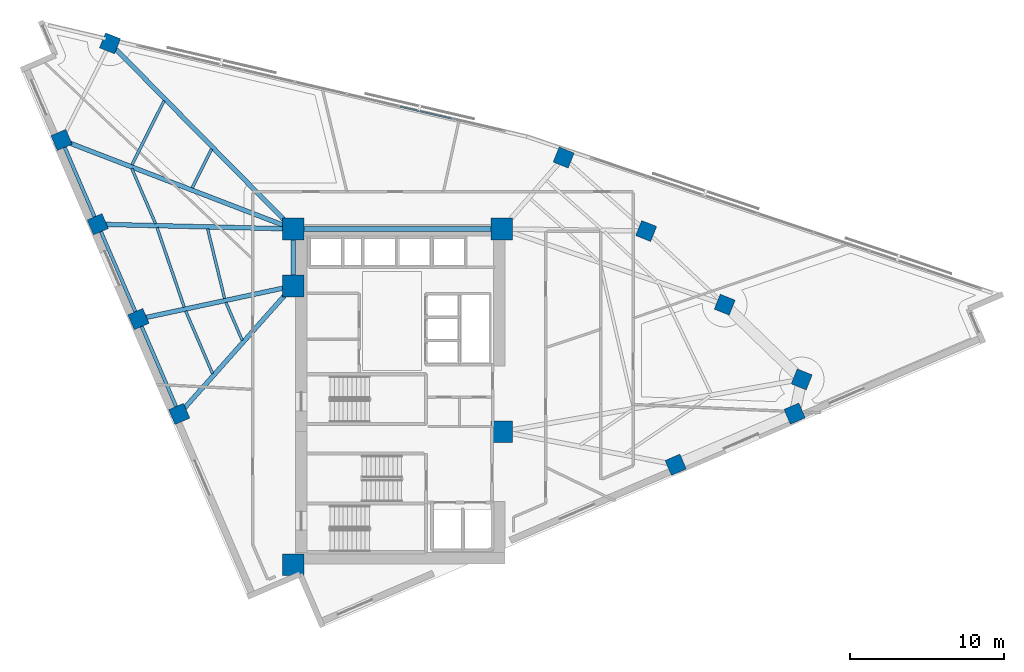
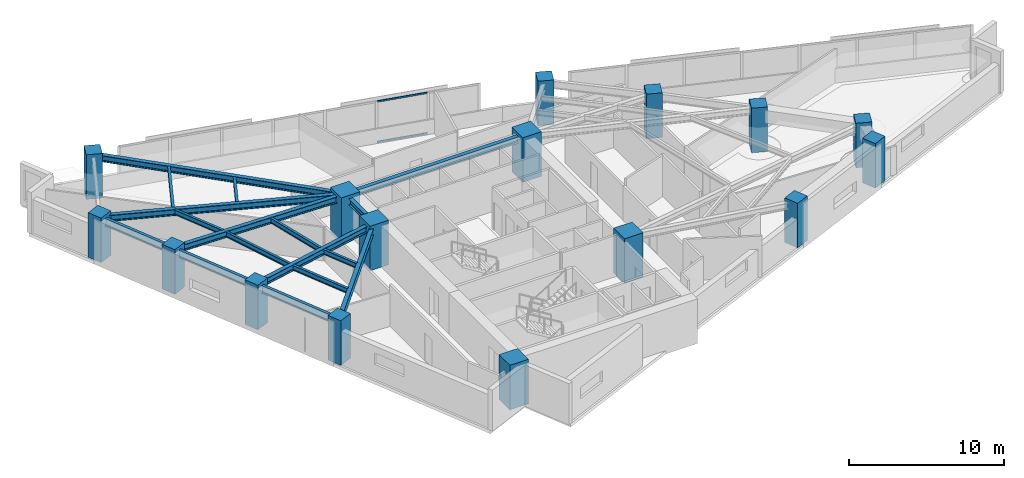
# One storey, part 1 of 15: 17 beams, 16 columns, 2 members, 1 element without a shape of its own.
"""IFC4 building model written with IfcOpenShell, lengths in metres."""

from ifc_helpers import new_model, si_unit, direction, frame, origin, origin_2d, place, context, subcontext, project, spatial, rectangle, hollow_rectangle, i_section, extrude, material, material_profile, profile_set, type_object, element, aggregate, save


model = new_model("IFC4")

# Units and contexts
model_context = context("Model", 3, precision=1e-05, world=origin(), true_north=direction((0.0, 1.0)))
body_context = subcontext(model_context, "Body", "Model", "MODEL_VIEW")
ifc_project = project(units=[si_unit("LENGTHUNIT", "METRE"), si_unit("AREAUNIT", "SQUARE_METRE"), si_unit("VOLUMEUNIT", "CUBIC_METRE"), si_unit("PLANEANGLEUNIT", "RADIAN"), si_unit("MASSUNIT", "GRAM", prefix="KILO")], contexts=[model_context])

# Site, building, storey
site_placement = place(None, origin())
site = spatial("IfcSite", under=ifc_project, at=site_placement, CompositionType="ELEMENT")
building_placement = place(site_placement, origin())
building = spatial("IfcBuilding", under=site, at=building_placement, Name="Narakoshi Arena Tower", CompositionType="ELEMENT")
storey_placement = place(building_placement, frame((0.0, 0.0, 186.139892578125)))
storey = spatial("IfcBuildingStorey", under=building, at=storey_placement, Name="L50", CompositionType="ELEMENT", Elevation=186.139892578125)

# Columns
ifc_material_1 = material(Name="Concrete C50/60", Category="concrete")
ifc_material_profile_1 = material_profile(ifc_material_1, rectangle(XDim=1.050048828125, YDim=1.050048828125, at=origin_2d()), Name="RC1050x1050")
ifc_profile_set_1 = profile_set([ifc_material_profile_1], Name="Concrete C50/60")
column_type_1 = type_object("IfcColumnType", Name="COL-RC1050", PredefinedType="COLUMN", material=ifc_profile_set_1)
for number, where, z_axis, x_axis, name in (
    (1, (96.830078125, 41.2001953125, 0.0), (0.0, 0.0, 1.0), (0.918791210149, 0.394743856384, 0.0), "L50 Tower Perimeter Column TC02"),
    (2, (104.54931640625, 44.5166015625, 0.0), (0.0, 0.0, 1.0), (0.918791210149, 0.394743856384, 0.0), "L50 Tower Perimeter Column TC03"),
    (3, (105.010009765625, 46.73876953125, 0.0), (0.0, 0.0, 1.0), (0.37055743751, 0.928809552872, 0.0), "L50 Tower Perimeter Column TC05"),
    (4, (100.012939453125, 51.58544921875, 0.0), (0.0, 0.0, 1.0), (0.37055743751, 0.928809552872, 0.0), "L50 Tower Perimeter Column TC06"),
    (5, (94.914794921875, 56.36669921875, 0.0), (0.0, 0.0, 1.0), (0.37055743751, 0.928809552872, 0.0), "L50 Tower Perimeter Column TC07"),
    (6, (89.5615234375, 61.134765625, 0.0), (0.0, 0.0, 1.0), (0.37055743751, 0.928809552872, 0.0), "L50 Tower Perimeter Column TC08"),
    (7, (60.12158203125, 68.55126953125, 0.0), (0.0, 0.0, 1.0), (0.37055743751, 0.928809552872, 0.0), "L50 Tower Perimeter Column TC10"),
    (8, (56.9755859375, 62.278564453125, 0.0), (0.0, 0.0, 1.0), (-0.394743856384, 0.918791210149, 0.0), "L50 Tower Perimeter Column TC13"),
    (9, (59.326171875, 56.807373046875, 0.0), (0.0, 0.0, 1.0), (-0.394743856384, 0.918791210149, 0.0), "L50 Tower Perimeter Column TC14"),
    (10, (61.970458984375, 50.652587890625, 0.0), (0.0, 0.0, 1.0), (-0.394743856384, 0.918791210149, 0.0), "L50 Tower Perimeter Column TC15"),
    (11, (64.61474609375, 44.49755859375, 0.0), (0.0, 0.0, 1.0), (-0.394743856384, 0.918791210149, 0.0), "L50 Tower Perimeter Column TC16"),
):
    element("IfcColumn", number, at=place(storey_placement, frame(where, z_axis=z_axis, x_axis=x_axis)), inside=storey, type_object=column_type_1, Name=name, PredefinedType="COLUMN", context=body_context, shape_type="SweptSolid", body=[
        extrude(rectangle(XDim=1.050048828125, YDim=1.050048828125, at=origin_2d()), origin(), (0.0, 0.0, 1.0), 3.52001953125),
    ])
ifc_material_2 = material(Name="Concrete C60/75", Category="concrete")
ifc_material_profile_2 = material_profile(ifc_material_2, rectangle(XDim=1.39990234375, YDim=1.39990234375, at=origin_2d()), Name="RC1400x1400")
ifc_profile_set_2 = profile_set([ifc_material_profile_2], Name="Concrete C60/75")
column_type_2 = type_object("IfcColumnType", Name="COL-RC1400", PredefinedType="COLUMN", material=ifc_profile_set_2)
for number, where, z_axis, x_axis, name in (
    (12, (72.0, 34.699951171875, 0.0), (0.0, 0.0, 1.0), (1.0, 0.0, 0.0), "L50 Core Structural Column CC1"),
    (13, (85.550048828125, 43.35009765625, 0.0), (0.0, 0.0, 1.0), (1.0, 0.0, 0.0), "L50 Core Structural Column CC3"),
    (14, (72.0, 52.800048828125, 0.0), (0.0, 0.0, 1.0), (1.0, 0.0, 0.0), "L50 Core Structural Column CC4"),
    (15, (72.0, 56.5, 0.0), (0.0, 0.0, 1.0), (1.0, 0.0, 0.0), "L50 Core Structural Column CC5"),
    (16, (85.550048828125, 56.5, 0.0), (0.0, 0.0, 1.0), (1.0, 0.0, 0.0), "L50 Core Structural Column CC6"),
):
    element("IfcColumn", number, at=place(storey_placement, frame(where, z_axis=z_axis, x_axis=x_axis)), inside=storey, type_object=column_type_2, Name=name, PredefinedType="COLUMN", context=body_context, shape_type="SweptSolid", body=[
        extrude(rectangle(XDim=1.39990234375, YDim=1.39990234375, at=origin_2d()), origin(), (0.0, 0.0, 1.0), 3.52001953125),
    ])

# Beams
ifc_material_3 = material(Name="Structural steel S355J2", Category="steel")
ifc_material_profile_3 = material_profile(ifc_material_3, i_section(OverallWidth=0.219970703125, OverallDepth=0.60009765625, WebThickness=0.011962890625, FlangeThickness=0.01904296875, FilletRadius=0.02392578125, at=origin_2d()), Name="IPE600")
ifc_profile_set_3 = profile_set([ifc_material_profile_3], Name="Structural steel S355J2")
beam_type_1 = type_object("IfcBeamType", Name="BM-EDGE-600", PredefinedType="BEAM", material=ifc_profile_set_3)
beam_1_placement = place(storey_placement, frame((56.9755859375, 62.278564453125, 2.960205078125), z_axis=(0.394740539552, -0.918792635165, 0.0), x_axis=(0.918792635165, 0.394740539552, 0.0)))
element("IfcBeam", 17, at=beam_1_placement, inside=storey, type_object=beam_type_1, Name="L50 Perimeter Edge Girder 08", PredefinedType="BEAM", context=body_context, shape_type="SweptSolid", body=[
    extrude(i_section(OverallWidth=0.219970703125, OverallDepth=0.60009765625, WebThickness=0.011962890625, FlangeThickness=0.01904296875, FilletRadius=0.02392578125, at=origin_2d()), origin(), (0.0, 0.0, 1.0), 5.954833984375),
])
beam_2_placement = place(storey_placement, frame((59.326171875, 56.807373046875, 2.960205078125), z_axis=(0.394741679056, -0.9187921456, 0.0), x_axis=(0.9187921456, 0.394741679056, 0.0)))
element("IfcBeam", 18, at=beam_2_placement, inside=storey, type_object=beam_type_1, Name="L50 Perimeter Edge Girder 09", PredefinedType="BEAM", context=body_context, shape_type="SweptSolid", body=[
    extrude(i_section(OverallWidth=0.219970703125, OverallDepth=0.60009765625, WebThickness=0.011962890625, FlangeThickness=0.01904296875, FilletRadius=0.02392578125, at=origin_2d()), origin(), (0.0, 0.0, 1.0), 6.69873046875),
])
beam_3_placement = place(storey_placement, frame((61.970458984375, 50.652587890625, 2.960205078125), z_axis=(0.394728461185, -0.918797824296, 0.0), x_axis=(0.918797824296, 0.394728461185, 0.0)))
element("IfcBeam", 19, at=beam_3_placement, inside=storey, type_object=beam_type_1, Name="L50 Perimeter Edge Girder 10", PredefinedType="BEAM", context=body_context, shape_type="SweptSolid", body=[
    extrude(i_section(OverallWidth=0.219970703125, OverallDepth=0.60009765625, WebThickness=0.011962890625, FlangeThickness=0.01904296875, FilletRadius=0.02392578125, at=origin_2d()), origin(), (0.0, 0.0, 1.0), 6.698974609375),
])
ifc_material_profile_4 = material_profile(ifc_material_3, i_section(OverallWidth=0.300048828125, OverallDepth=0.5, WebThickness=0.014404296875, FlangeThickness=0.028076171875, FilletRadius=0.027099609375, at=origin_2d()), Name="HE500B")
ifc_profile_set_4 = profile_set([ifc_material_profile_4], Name="Structural steel S355J2")
beam_type_2 = type_object("IfcBeamType", Name="BM-PRI-500", PredefinedType="BEAM", material=ifc_profile_set_4)
beam_4_placement = place(storey_placement, frame((72.0, 56.5, 3.010009765625), z_axis=(-0.701980816252, 0.71219585341, 0.0), x_axis=(-0.71219585341, -0.701980816252, 0.0)))
element("IfcBeam", 20, at=beam_4_placement, inside=storey, type_object=beam_type_2, Name="L50 Radial Primary Floor Girder 07", PredefinedType="BEAM", context=body_context, shape_type="SweptSolid", body=[
    extrude(i_section(OverallWidth=0.300048828125, OverallDepth=0.5, WebThickness=0.014404296875, FlangeThickness=0.028076171875, FilletRadius=0.027099609375, at=origin_2d()), origin(), (0.0, 0.0, 1.0), 16.92138671875),
])
beam_5_placement = place(storey_placement, frame((72.0, 56.5, 3.010009765625), z_axis=(-0.933346778866, 0.35897603037, 0.0), x_axis=(-0.35897603037, -0.933346778866, 0.0)))
element("IfcBeam", 21, at=beam_5_placement, inside=storey, type_object=beam_type_2, Name="L50 Radial Primary Floor Girder 08", PredefinedType="BEAM", context=body_context, shape_type="SweptSolid", body=[
    extrude(i_section(OverallWidth=0.300048828125, OverallDepth=0.5, WebThickness=0.014404296875, FlangeThickness=0.028076171875, FilletRadius=0.027099609375, at=origin_2d()), origin(), (0.0, 0.0, 1.0), 16.097412109375),
])
beam_6_placement = place(storey_placement, frame((72.0, 56.5, 3.010009765625), z_axis=(-0.999706035824, 0.024245451901, 0.0), x_axis=(-0.024245451901, -0.999706035824, 0.0)))
element("IfcBeam", 22, at=beam_6_placement, inside=storey, type_object=beam_type_2, Name="L50 Radial Primary Floor Girder 09", PredefinedType="BEAM", context=body_context, shape_type="SweptSolid", body=[
    extrude(i_section(OverallWidth=0.300048828125, OverallDepth=0.5, WebThickness=0.014404296875, FlangeThickness=0.028076171875, FilletRadius=0.027099609375, at=origin_2d()), origin(), (0.0, 0.0, 1.0), 12.677490234375),
])
beam_7_placement = place(storey_placement, frame((72.0, 52.800048828125, 3.010009765625), z_axis=(-0.977836885657, -0.209368156721, 0.0), x_axis=(0.209368156721, -0.977836885657, 0.0)))
element("IfcBeam", 23, at=beam_7_placement, inside=storey, type_object=beam_type_2, Name="L50 Radial Primary Floor Girder 10", PredefinedType="BEAM", context=body_context, shape_type="SweptSolid", body=[
    extrude(i_section(OverallWidth=0.300048828125, OverallDepth=0.5, WebThickness=0.014404296875, FlangeThickness=0.028076171875, FilletRadius=0.027099609375, at=origin_2d()), origin(), (0.0, 0.0, 1.0), 10.2568359375),
])
beam_8_placement = place(storey_placement, frame((72.0, 52.800048828125, 3.010009765625), z_axis=(-0.664628360587, -0.747174104412, 0.0), x_axis=(0.747174104412, -0.664628360587, 0.0)))
element("IfcBeam", 24, at=beam_8_placement, inside=storey, type_object=beam_type_2, Name="L50 Radial Primary Floor Girder 11", PredefinedType="BEAM", context=body_context, shape_type="SweptSolid", body=[
    extrude(i_section(OverallWidth=0.300048828125, OverallDepth=0.5, WebThickness=0.014404296875, FlangeThickness=0.028076171875, FilletRadius=0.027099609375, at=origin_2d()), origin(), (0.0, 0.0, 1.0), 11.11181640625),
])
beam_9_placement = place(storey_placement, frame((72.0, 52.800048828125, 3.010009765625), z_axis=(0.0, 1.0, 0.0), x_axis=(-1.0, 0.0, 0.0)))
element("IfcBeam", 25, at=beam_9_placement, inside=storey, type_object=beam_type_2, Name="L50 Core Perimeter Frame Beam CC4-CC5", PredefinedType="BEAM", context=body_context, shape_type="SweptSolid", body=[
    extrude(i_section(OverallWidth=0.300048828125, OverallDepth=0.5, WebThickness=0.014404296875, FlangeThickness=0.028076171875, FilletRadius=0.027099609375, at=origin_2d()), origin(), (0.0, 0.0, 1.0), 3.699951171875),
])
beam_10_placement = place(storey_placement, frame((72.0, 56.5, 3.010009765625), z_axis=(1.0, 0.0, 0.0), x_axis=(0.0, 1.0, 0.0)))
element("IfcBeam", 26, at=beam_10_placement, inside=storey, type_object=beam_type_2, Name="L50 Core Perimeter Frame Beam CC5-CC6", PredefinedType="BEAM", context=body_context, shape_type="SweptSolid", body=[
    extrude(i_section(OverallWidth=0.300048828125, OverallDepth=0.5, WebThickness=0.014404296875, FlangeThickness=0.028076171875, FilletRadius=0.027099609375, at=origin_2d()), origin(), (0.0, 0.0, 1.0), 13.550048828125),
])
ifc_material_profile_5 = material_profile(ifc_material_3, i_section(OverallWidth=0.179931640625, OverallDepth=0.39990234375, WebThickness=0.008544921875, FlangeThickness=0.013427734375, FilletRadius=0.02099609375, at=origin_2d()), Name="IPE400")
ifc_profile_set_5 = profile_set([ifc_material_profile_5], Name="Structural steel S355J2")
beam_type_3 = type_object("IfcBeamType", Name="BM-SEC-400", PredefinedType="JOIST", material=ifc_profile_set_5)
beam_11_placement = place(storey_placement, frame((66.712890625, 61.681884765625, 3.06005859375), z_axis=(-0.4482876383, -0.893889363035, 0.0), x_axis=(0.893889363035, -0.4482876383, 0.0)))
element("IfcBeam", 27, at=beam_11_placement, inside=storey, type_object=beam_type_3, Name="L50 Composite Secondary Floor Joist 09", PredefinedType="JOIST", context=body_context, shape_type="SweptSolid", body=[
    extrude(i_section(OverallWidth=0.179931640625, OverallDepth=0.39990234375, WebThickness=0.008544921875, FlangeThickness=0.013427734375, FilletRadius=0.02099609375, at=origin_2d()), origin(), (0.0, 0.0, 1.0), 2.81787109375),
])
beam_12_placement = place(storey_placement, frame((63.624755859375, 64.815185546875, 3.06005859375), z_axis=(-0.448328152094, -0.893869044122, 0.0), x_axis=(0.893869044122, -0.448328152094, 0.0)))
element("IfcBeam", 28, at=beam_12_placement, inside=storey, type_object=beam_type_3, Name="L50 Composite Secondary Floor Joist 10", PredefinedType="JOIST", context=body_context, shape_type="SweptSolid", body=[
    extrude(i_section(OverallWidth=0.179931640625, OverallDepth=0.39990234375, WebThickness=0.008544921875, FlangeThickness=0.013427734375, FilletRadius=0.02099609375, at=origin_2d()), origin(), (0.0, 0.0, 1.0), 4.642333984375),
])
beam_13_placement = place(storey_placement, frame((61.5361328125, 60.4208984375, 3.06005859375), z_axis=(0.394735448543, -0.918794822397, 0.0), x_axis=(0.918794822397, 0.394735448543, 0.0)))
element("IfcBeam", 29, at=beam_13_placement, inside=storey, type_object=beam_type_3, Name="L50 Composite Secondary Floor Joist 11", PredefinedType="JOIST", context=body_context, shape_type="SweptSolid", body=[
    extrude(i_section(OverallWidth=0.179931640625, OverallDepth=0.39990234375, WebThickness=0.008544921875, FlangeThickness=0.013427734375, FilletRadius=0.02099609375, at=origin_2d()), origin(), (0.0, 0.0, 1.0), 3.8984375),
])
beam_14_placement = place(storey_placement, frame((66.455322265625, 56.504150390625, 3.06005859375), z_axis=(0.236539147599, -0.971621959228, 0.0), x_axis=(0.971621959228, 0.236539147599, 0.0)))
element("IfcBeam", 30, at=beam_14_placement, inside=storey, type_object=beam_type_3, Name="L50 Composite Secondary Floor Joist 12", PredefinedType="JOIST", context=body_context, shape_type="SweptSolid", body=[
    extrude(i_section(OverallWidth=0.179931640625, OverallDepth=0.39990234375, WebThickness=0.008544921875, FlangeThickness=0.013427734375, FilletRadius=0.02099609375, at=origin_2d()), origin(), (0.0, 0.0, 1.0), 4.649658203125),
])
beam_15_placement = place(storey_placement, frame((63.171875, 56.58740234375, 3.06005859375), z_axis=(0.323307083537, -0.946294103191, 0.0), x_axis=(0.946294103191, 0.323307083537, 0.0)))
element("IfcBeam", 31, at=beam_15_placement, inside=storey, type_object=beam_type_3, Name="L50 Composite Secondary Floor Joist 13", PredefinedType="JOIST", context=body_context, shape_type="SweptSolid", body=[
    extrude(i_section(OverallWidth=0.179931640625, OverallDepth=0.39990234375, WebThickness=0.008544921875, FlangeThickness=0.013427734375, FilletRadius=0.02099609375, at=origin_2d()), origin(), (0.0, 0.0, 1.0), 5.455810546875),
])
beam_16_placement = place(storey_placement, frame((67.640380859375, 51.731201171875, 3.06005859375), z_axis=(0.394711461419, -0.918805127448, 0.0), x_axis=(0.918805127448, 0.394711461419, 0.0)))
element("IfcBeam", 32, at=beam_16_placement, inside=storey, type_object=beam_type_3, Name="L50 Composite Secondary Floor Joist 14", PredefinedType="JOIST", context=body_context, shape_type="SweptSolid", body=[
    extrude(i_section(OverallWidth=0.179931640625, OverallDepth=0.39990234375, WebThickness=0.008544921875, FlangeThickness=0.013427734375, FilletRadius=0.02099609375, at=origin_2d()), origin(), (0.0, 0.0, 1.0), 2.677734375),
])
beam_17_placement = place(storey_placement, frame((65.03271484375, 51.172607421875, 3.06005859375), z_axis=(0.39473259388, -0.918796048821, 0.0), x_axis=(0.918796048821, 0.39473259388, 0.0)))
element("IfcBeam", 33, at=beam_17_placement, inside=storey, type_object=beam_type_3, Name="L50 Composite Secondary Floor Joist 15", PredefinedType="JOIST", context=body_context, shape_type="SweptSolid", body=[
    extrude(i_section(OverallWidth=0.179931640625, OverallDepth=0.39990234375, WebThickness=0.008544921875, FlangeThickness=0.013427734375, FilletRadius=0.02099609375, at=origin_2d()), origin(), (0.0, 0.0, 1.0), 4.419189453125),
])

# Curtain wall, members
ifc_material_4 = material(Name="Anodised bronze aluminium 6063-T6", Category="aluminium")
curtain_wall_type = type_object("IfcCurtainWallType", Name="CW-HYP-MID", PredefinedType="NOTDEFINED", material=ifc_material_4)
curtain_wall_placement = place(storey_placement, origin())
curtain_wall = element("IfcCurtainWall", 34, at=curtain_wall_placement, inside=storey, type_object=curtain_wall_type, Name="L50 Folded Hypotenuse Curtain Wall 2-1", PredefinedType="NOTDEFINED")
ifc_material_profile_6 = material_profile(ifc_material_4, hollow_rectangle(XDim=0.06494140625, YDim=0.1298828125, WallThickness=0.00390625, OuterFilletRadius=0.0048828125, at=origin_2d()), Name="TRN130x65x4")
ifc_profile_set_6 = profile_set([ifc_material_profile_6], Name="Anodised bronze aluminium 6063-T6")
member_type = type_object("IfcMemberType", Name="MEM-TRN-130", PredefinedType="USERDEFINED", material=ifc_profile_set_6)
member_1_placement = place(storey_placement, frame((82.27587890625, 63.6611328125, 0.03271484375), z_axis=(-0.973960713384, 0.226716847155, 0.0), x_axis=(-0.226716847155, -0.973960713384, 0.0)))
member_1 = element("IfcMember", 35, at=member_1_placement, type_object=member_type, Name="CW-02 transom 2.1", ObjectType="TRANSOM", PredefinedType="USERDEFINED", context=body_context, shape_type="SweptSolid", body=[
    extrude(hollow_rectangle(XDim=0.06494140625, YDim=0.1298828125, WallThickness=0.00390625, OuterFilletRadius=0.0048828125, at=origin_2d()), origin(), (0.0, 0.0, 1.0), 3.416748046875),
])
member_2_placement = place(storey_placement, frame((82.27587890625, 63.6611328125, 3.2275390625), z_axis=(-0.973960713384, 0.226716847155, 0.0), x_axis=(-0.226716847155, -0.973960713384, 0.0)))
member_2 = element("IfcMember", 36, at=member_2_placement, type_object=member_type, Name="CW-02 transom 2.2", ObjectType="TRANSOM", PredefinedType="USERDEFINED", context=body_context, shape_type="SweptSolid", body=[
    extrude(hollow_rectangle(XDim=0.06494140625, YDim=0.1298828125, WallThickness=0.00390625, OuterFilletRadius=0.0048828125, at=origin_2d()), origin(), (0.0, 0.0, 1.0), 3.416748046875),
])
aggregate(curtain_wall, [member_1, member_2])

save(model, "model.ifc")
